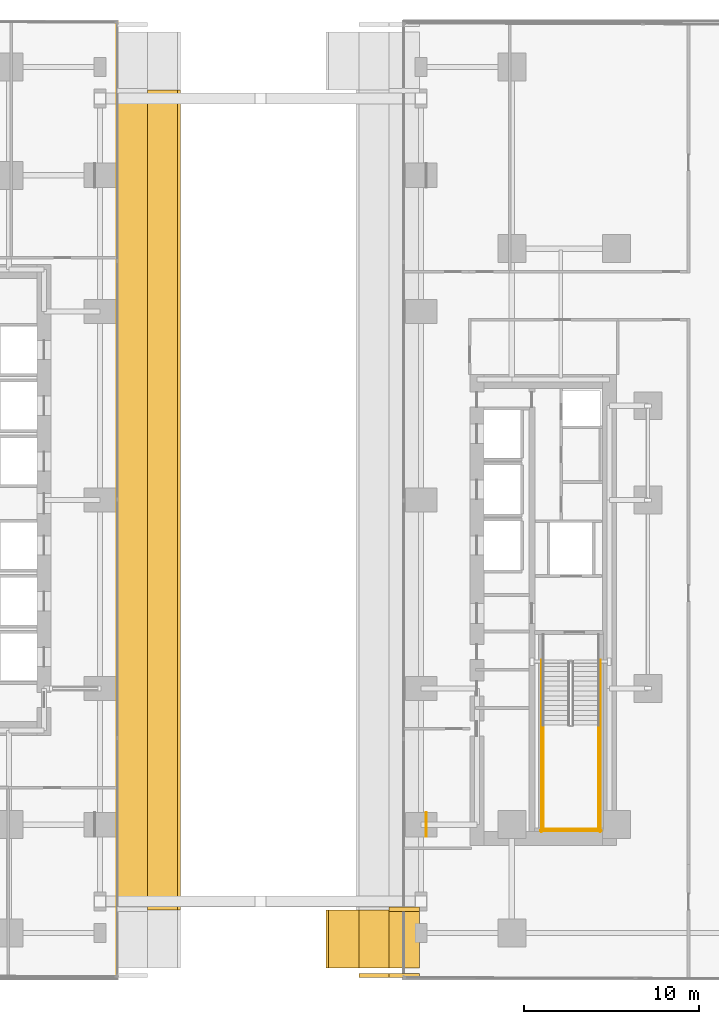
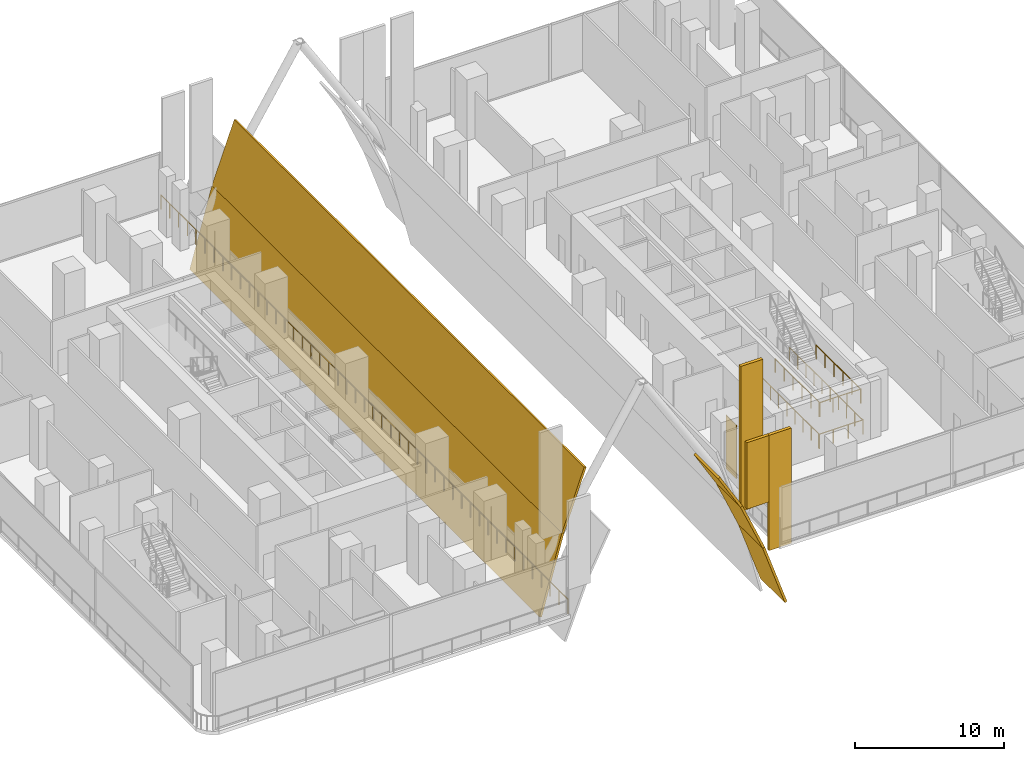
# One storey, part 24 of 31: 9 coverings, 7 railings.
"""IFC4 building model written with IfcOpenShell, lengths in metres."""

from ifc_helpers import new_model, si_unit, direction, frame, origin, origin_2d, place, context, subcontext, project, spatial, polyline, rectangle, circle, outline, extrude, material, layer, layer_set, type_object, element, save


model = new_model("IFC4")

# Units and contexts
model_context = context("Model", 3, precision=1e-05, world=origin(), true_north=direction((0.0, 1.0)))
body_context = subcontext(model_context, "Body", "Model", "MODEL_VIEW")
ifc_project = project(units=[si_unit("LENGTHUNIT", "METRE"), si_unit("AREAUNIT", "SQUARE_METRE"), si_unit("VOLUMEUNIT", "CUBIC_METRE"), si_unit("PLANEANGLEUNIT", "RADIAN"), si_unit("MASSUNIT", "GRAM", prefix="KILO")], contexts=[model_context])

# Site, building, storey
site_placement = place(None, origin())
site = spatial("IfcSite", under=ifc_project, at=site_placement, CompositionType="ELEMENT")
building_placement = place(site_placement, origin())
building = spatial("IfcBuilding", under=site, at=building_placement, Name="Khairoan Windgate Tower", CompositionType="ELEMENT")
storey_placement = place(building_placement, frame((0.0, 0.0, 6.0)))
storey = spatial("IfcBuildingStorey", under=building, at=storey_placement, Name="L02", CompositionType="ELEMENT", Elevation=6.0)

# Railing
ifc_material_1 = material(Name="Anodised Bronze Aluminium 6063-T6", Category="aluminium")
railing_type_1 = type_object("IfcRailingType", Name="Aerodynamic Bronze-and-Glass Balustrade BAL-1200", PredefinedType="BALUSTRADE", material=ifc_material_1)
railing_1_placement = place(storey_placement, frame((-8.199951171875, 27.356689453125, 0.0)))
element("IfcRailing", 1, at=railing_1_placement, inside=storey, type_object=railing_type_1, Name="L02 Arch Void Edge Guardrail 1", PredefinedType="BALUSTRADE", context=body_context, shape_type="SweptSolid", body=[
    extrude(circle(Radius=0.02392578125, at=origin_2d()), frame((0.0, 0.0, 1.17578125), z_axis=(0.0, -1.0, 0.0), x_axis=(1.0, 0.0, 0.0)), (0.0, 0.0, 1.0), 54.661865234375),
    extrude(circle(Radius=0.02099609375, at=origin_2d()), origin(), (0.0, 0.0, 1.0), 1.15185546875),
    extrude(circle(Radius=0.02099609375, at=origin_2d()), frame((0.0, -1.188232421875, 0.0)), (0.0, 0.0, 1.0), 1.15185546875),
    extrude(circle(Radius=0.02099609375, at=origin_2d()), frame((0.0, -2.376708984375, 0.0)), (0.0, 0.0, 1.0), 1.15185546875),
    extrude(circle(Radius=0.02099609375, at=origin_2d()), frame((0.0, -3.56494140625, 0.0)), (0.0, 0.0, 1.0), 1.15185546875),
    extrude(circle(Radius=0.02099609375, at=origin_2d()), frame((0.0, -4.753173828125, 0.0)), (0.0, 0.0, 1.0), 1.15185546875),
    extrude(circle(Radius=0.02099609375, at=origin_2d()), frame((0.0, -5.94140625, 0.0)), (0.0, 0.0, 1.0), 1.15185546875),
    extrude(circle(Radius=0.02099609375, at=origin_2d()), frame((0.0, -7.1298828125, 0.0)), (0.0, 0.0, 1.0), 1.15185546875),
    extrude(circle(Radius=0.02099609375, at=origin_2d()), frame((0.0, -8.318115234375, 0.0)), (0.0, 0.0, 1.0), 1.15185546875),
    extrude(circle(Radius=0.02099609375, at=origin_2d()), frame((0.0, -9.50634765625, 0.0)), (0.0, 0.0, 1.0), 1.15185546875),
    extrude(circle(Radius=0.02099609375, at=origin_2d()), frame((0.0, -10.69482421875, 0.0)), (0.0, 0.0, 1.0), 1.15185546875),
    extrude(circle(Radius=0.02099609375, at=origin_2d()), frame((0.0, -11.883056640625, 0.0)), (0.0, 0.0, 1.0), 1.15185546875),
    extrude(circle(Radius=0.02099609375, at=origin_2d()), frame((0.0, -13.0712890625, 0.0)), (0.0, 0.0, 1.0), 1.15185546875),
    extrude(circle(Radius=0.02099609375, at=origin_2d()), frame((0.0, -14.259521484375, 0.0)), (0.0, 0.0, 1.0), 1.15185546875),
    extrude(circle(Radius=0.02099609375, at=origin_2d()), frame((0.0, -15.447998046875, 0.0)), (0.0, 0.0, 1.0), 1.15185546875),
    extrude(circle(Radius=0.02099609375, at=origin_2d()), frame((0.0, -16.63623046875, 0.0)), (0.0, 0.0, 1.0), 1.15185546875),
    extrude(circle(Radius=0.02099609375, at=origin_2d()), frame((0.0, -17.824462890625, 0.0)), (0.0, 0.0, 1.0), 1.15185546875),
    extrude(circle(Radius=0.02099609375, at=origin_2d()), frame((0.0, -19.012939453125, 0.0)), (0.0, 0.0, 1.0), 1.15185546875),
    extrude(circle(Radius=0.02099609375, at=origin_2d()), frame((0.0, -20.201171875, 0.0)), (0.0, 0.0, 1.0), 1.15185546875),
    extrude(circle(Radius=0.02099609375, at=origin_2d()), frame((0.0, -21.389404296875, 0.0)), (0.0, 0.0, 1.0), 1.15185546875),
    extrude(circle(Radius=0.02099609375, at=origin_2d()), frame((0.0, -22.57763671875, 0.0)), (0.0, 0.0, 1.0), 1.15185546875),
    extrude(circle(Radius=0.02099609375, at=origin_2d()), frame((0.0, -23.76611328125, 0.0)), (0.0, 0.0, 1.0), 1.15185546875),
    extrude(circle(Radius=0.02099609375, at=origin_2d()), frame((0.0, -24.954345703125, 0.0)), (0.0, 0.0, 1.0), 1.15185546875),
    extrude(circle(Radius=0.02099609375, at=origin_2d()), frame((0.0, -26.142578125, 0.0)), (0.0, 0.0, 1.0), 1.15185546875),
    extrude(circle(Radius=0.02099609375, at=origin_2d()), frame((0.0, -27.3310546875, 0.0)), (0.0, 0.0, 1.0), 1.15185546875),
    extrude(circle(Radius=0.02099609375, at=origin_2d()), frame((0.0, -28.519287109375, 0.0)), (0.0, 0.0, 1.0), 1.15185546875),
    extrude(circle(Radius=0.02099609375, at=origin_2d()), frame((0.0, -29.70751953125, 0.0)), (0.0, 0.0, 1.0), 1.15185546875),
    extrude(circle(Radius=0.02099609375, at=origin_2d()), frame((0.0, -30.895751953125, 0.0)), (0.0, 0.0, 1.0), 1.15185546875),
    extrude(circle(Radius=0.02099609375, at=origin_2d()), frame((0.0, -32.084228515625, 0.0)), (0.0, 0.0, 1.0), 1.15185546875),
    extrude(circle(Radius=0.02099609375, at=origin_2d()), frame((0.0, -33.2724609375, 0.0)), (0.0, 0.0, 1.0), 1.15185546875),
    extrude(circle(Radius=0.02099609375, at=origin_2d()), frame((0.0, -34.460693359375, 0.0)), (0.0, 0.0, 1.0), 1.15185546875),
    extrude(circle(Radius=0.02099609375, at=origin_2d()), frame((0.0, -35.64892578125, 0.0)), (0.0, 0.0, 1.0), 1.15185546875),
    extrude(circle(Radius=0.02099609375, at=origin_2d()), frame((0.0, -36.83740234375, 0.0)), (0.0, 0.0, 1.0), 1.15185546875),
    extrude(circle(Radius=0.02099609375, at=origin_2d()), frame((0.0, -38.025634765625, 0.0)), (0.0, 0.0, 1.0), 1.15185546875),
    extrude(circle(Radius=0.02099609375, at=origin_2d()), frame((0.0, -39.2138671875, 0.0)), (0.0, 0.0, 1.0), 1.15185546875),
    extrude(circle(Radius=0.02099609375, at=origin_2d()), frame((0.0, -40.40234375, 0.0)), (0.0, 0.0, 1.0), 1.15185546875),
    extrude(circle(Radius=0.02099609375, at=origin_2d()), frame((0.0, -41.590576171875, 0.0)), (0.0, 0.0, 1.0), 1.15185546875),
    extrude(circle(Radius=0.02099609375, at=origin_2d()), frame((0.0, -42.77880859375, 0.0)), (0.0, 0.0, 1.0), 1.15185546875),
    extrude(circle(Radius=0.02099609375, at=origin_2d()), frame((0.0, -43.967041015625, 0.0)), (0.0, 0.0, 1.0), 1.15185546875),
    extrude(circle(Radius=0.02099609375, at=origin_2d()), frame((0.0, -45.155517578125, 0.0)), (0.0, 0.0, 1.0), 1.15185546875),
    extrude(circle(Radius=0.02099609375, at=origin_2d()), frame((0.0, -46.34375, 0.0)), (0.0, 0.0, 1.0), 1.15185546875),
    extrude(circle(Radius=0.02099609375, at=origin_2d()), frame((0.0, -47.531982421875, 0.0)), (0.0, 0.0, 1.0), 1.15185546875),
    extrude(circle(Radius=0.02099609375, at=origin_2d()), frame((0.0, -48.720458984375, 0.0)), (0.0, 0.0, 1.0), 1.15185546875),
    extrude(circle(Radius=0.02099609375, at=origin_2d()), frame((0.0, -49.90869140625, 0.0)), (0.0, 0.0, 1.0), 1.15185546875),
    extrude(circle(Radius=0.02099609375, at=origin_2d()), frame((0.0, -51.096923828125, 0.0)), (0.0, 0.0, 1.0), 1.15185546875),
    extrude(circle(Radius=0.02099609375, at=origin_2d()), frame((0.0, -52.28515625, 0.0)), (0.0, 0.0, 1.0), 1.15185546875),
    extrude(circle(Radius=0.02099609375, at=origin_2d()), frame((0.0, -53.4736328125, 0.0)), (0.0, 0.0, 1.0), 1.15185546875),
    extrude(circle(Radius=0.02099609375, at=origin_2d()), frame((0.0, -54.661865234375, 0.0)), (0.0, 0.0, 1.0), 1.15185546875),
])

# Coverings
ifc_material_2 = material(Name="Anodised Bronze Aluminium 6063-T6", Category="aluminium")
ifc_layer_1 = layer(ifc_material_2, 0.0400390625, Name="Anodised Bronze Aluminium 6063-T6")
ifc_layer_set_1 = layer_set([ifc_layer_1], Name="Anodised Bronze Aluminium 6063-T6")
covering_type_1 = type_object("IfcCoveringType", Name="Anodised Bronze Arch Pier Cladding", PredefinedType="CLADDING", material=ifc_layer_set_1)
covering_1_placement = place(storey_placement, frame((9.5, -18.60009765625, 0.0), z_axis=(0.0, 0.0, 1.0), x_axis=(1.0, 0.0, 0.0)))
element("IfcCovering", 2, at=covering_1_placement, inside=storey, type_object=covering_type_1, Name="L02 Arch Pier Bronze Cladding 02", PredefinedType="CLADDING", context=body_context, shape_type="SweptSolid", body=[
    extrude(rectangle(XDim=0.0400390625, YDim=1.39990234375, at=origin_2d()), origin(), (0.0, 0.0, 1.0), 4.39990234375),
])
ifc_material_3 = material(Name="Anodised Bronze Aluminium 6063-T6", Category="aluminium")
ifc_layer_2 = layer(ifc_material_3, 0.179931640625, Name="Anodised Bronze Aluminium 6063-T6")
ifc_layer_set_2 = layer_set([ifc_layer_2], Name="Anodised Bronze Aluminium 6063-T6")
covering_type_2 = type_object("IfcCoveringType", Name="Sculpted Parabolic Arch and Crown Cladding", PredefinedType="CLADDING", material=ifc_layer_set_2)
covering_2_placement = place(storey_placement, frame((-8.199951171875, -23.5, -2.60009765625), z_axis=(-0.96413617328, 0.0, 0.265408061997), x_axis=(0.265408061997, 0.0, 0.96413617328)))
element("IfcCovering", 3, at=covering_2_placement, inside=storey, type_object=covering_type_2, Name="Monumental Podium Parabolic Arch Barrel-Vault Cladding 01", PredefinedType="CLADDING", context=body_context, shape_type="SweptSolid", body=[
    extrude(outline(polyline([(0.0, 0.0), (6.518191104421667, 0.0), (6.518191104421667, 47.0), (0.0, 47.0), (0.0, 0.0)])), origin(), (0.0, 0.0, -1.0), 0.179931640625),
])
covering_3_placement = place(storey_placement, frame((-6.469970703125, -23.5, 3.684326171875), z_axis=(-0.940814222358, 0.0, 0.338922703591), x_axis=(0.338922703591, 0.0, 0.940814222358)))
element("IfcCovering", 4, at=covering_3_placement, inside=storey, type_object=covering_type_2, Name="Monumental Podium Parabolic Arch Barrel-Vault Cladding 02", PredefinedType="CLADDING", context=body_context, shape_type="SweptSolid", body=[
    extrude(outline(polyline([(0.0, 0.0), (5.104351081890195, 0.0), (5.104351081890195, 47.0), (0.0, 47.0), (0.0, 0.0)])), origin(), (0.0, 0.0, -1.0), 0.179931640625),
])
covering_4_placement = place(storey_placement, frame((3.909912109375, -26.800048828125, 6.633056640625), z_axis=(0.861580423573, 0.0, 0.507621092662), x_axis=(0.507621092662, 0.0, -0.861580423573)))
element("IfcCovering", 5, at=covering_4_placement, inside=storey, type_object=covering_type_2, Name="Podium Parabolic Arch Mouth Vault S-08", PredefinedType="CLADDING", context=body_context, shape_type="SweptSolid", body=[
    extrude(outline(polyline([(0.0, 0.0), (3.408015336161681, 0.0), (3.408015336161681, 3.300048828125), (0.0, 3.300048828125), (0.0, 0.0)])), origin(), (0.0, 0.0, -1.0), 0.179931640625),
])
covering_5_placement = place(storey_placement, frame((5.639892578125, -26.800048828125, 3.69677734375), z_axis=(0.917815663081, 0.0, 0.397006811783), x_axis=(0.397006811783, 0.0, -0.917815663081)))
element("IfcCovering", 6, at=covering_5_placement, inside=storey, type_object=covering_type_2, Name="Podium Parabolic Arch Mouth Vault S-09", PredefinedType="CLADDING", context=body_context, shape_type="SweptSolid", body=[
    extrude(outline(polyline([(0.0, 0.0), (4.358173608162813, 0.0), (4.358173608162813, 3.300048828125), (0.0, 3.300048828125), (0.0, 0.0)])), origin(), (0.0, 0.0, -1.0), 0.179931640625),
])
covering_6_placement = place(storey_placement, frame((6.5048828125, -27.25, 3.74658203125), z_axis=(0.0, 0.0, 1.0), x_axis=(1.0, 0.0, 0.0)))
element("IfcCovering", 7, at=covering_6_placement, inside=storey, type_object=covering_type_2, Name="Podium Parabolic Arch Tympanum Cladding S-09", PredefinedType="CLADDING", context=body_context, shape_type="SweptSolid", body=[
    extrude(rectangle(XDim=1.72998046875, YDim=0.239990234375, at=origin_2d()), origin(), (0.0, 0.0, 1.0), 5.452880859375),
])
covering_7_placement = place(storey_placement, frame((7.3701171875, -26.800048828125, -0.30322265625), z_axis=(0.946302886692, 0.0, 0.323281373788), x_axis=(0.323281373788, 0.0, -0.946302886692)))
element("IfcCovering", 8, at=covering_7_placement, inside=storey, type_object=covering_type_2, Name="Podium Parabolic Arch Mouth Vault S-10", PredefinedType="CLADDING", context=body_context, shape_type="SweptSolid", body=[
    extrude(outline(polyline([(0.0, 0.0), (5.351315012311687, 0.0), (5.351315012311687, 3.3000488281249996), (0.0, 3.3000488281249996), (0.0, 0.0)])), origin(), (0.0, 0.0, -1.0), 0.179931640625),
])
covering_8_placement = place(storey_placement, frame((8.235107421875, -23.449951171875, 0.64990234375), z_axis=(0.0, 0.0, 1.0), x_axis=(1.0, 0.0, 0.0)))
element("IfcCovering", 9, at=covering_8_placement, inside=storey, type_object=covering_type_2, Name="Upper Parabolic Arch Tympanum Cladding S-10", PredefinedType="CLADDING", context=body_context, shape_type="SweptSolid", body=[
    extrude(rectangle(XDim=1.72998046875, YDim=0.239990234375, at=origin_2d()), origin(), (0.0, 0.0, 1.0), 11.889892578125),
])
covering_9_placement = place(storey_placement, frame((8.235107421875, -27.25, -0.25341796875), z_axis=(0.0, 0.0, 1.0), x_axis=(1.0, 0.0, 0.0)))
element("IfcCovering", 10, at=covering_9_placement, inside=storey, type_object=covering_type_2, Name="Podium Parabolic Arch Tympanum Cladding S-10", PredefinedType="CLADDING", context=body_context, shape_type="SweptSolid", body=[
    extrude(rectangle(XDim=1.72998046875, YDim=0.239990234375, at=origin_2d()), origin(), (0.0, 0.0, 1.0), 9.452880859375),
])

# Railings
ifc_material_4 = material(Name="Steel S355", Category="steel")
railing_type_2 = type_object("IfcRailingType", Name="Stairwell Safety Guardrail SGR-1150", PredefinedType="GUARDRAIL", material=ifc_material_4)
for number, where, name in (
    (11, (16.199951171875, -12.89990234375, 2.5), "L02 ST1 stair guard 3"),
    (12, (19.3701171875, -12.89990234375, 2.5), "L02 ST1 stair guard 4"),
):
    element("IfcRailing", number, at=place(storey_placement, frame(where)), inside=storey, type_object=railing_type_2, Name=name, PredefinedType="GUARDRAIL", context=body_context, shape_type="SweptSolid", body=[
        extrude(circle(Radius=0.02392578125, at=origin_2d()), frame((0.0, 0.0, 1.1259765625), z_axis=(0.0, -1.0, 0.0), x_axis=(1.0, 0.0, 0.0)), (0.0, 0.0, 1.0), 6.0),
        extrude(circle(Radius=0.02099609375, at=origin_2d()), origin(), (0.0, 0.0, 1.0), 1.101806640625),
        extrude(circle(Radius=0.02099609375, at=origin_2d()), frame((0.0, -1.199951171875, 0.0)), (0.0, 0.0, 1.0), 1.101806640625),
        extrude(circle(Radius=0.02099609375, at=origin_2d()), frame((0.0, -2.39990234375, 0.0)), (0.0, 0.0, 1.0), 1.101806640625),
        extrude(circle(Radius=0.02099609375, at=origin_2d()), frame((0.0, -3.60009765625, 0.0)), (0.0, 0.0, 1.0), 1.101806640625),
        extrude(circle(Radius=0.02099609375, at=origin_2d()), frame((0.0, -4.800048828125, 0.0)), (0.0, 0.0, 1.0), 1.101806640625),
        extrude(circle(Radius=0.02099609375, at=origin_2d()), frame((0.0, -6.0, 0.0)), (0.0, 0.0, 1.0), 1.101806640625),
    ])
railing_2_placement = place(storey_placement, frame((16.14990234375, -18.85009765625, 2.5)))
element("IfcRailing", 13, at=railing_2_placement, inside=storey, type_object=railing_type_2, Name="L02 ST1 stair guard 5", PredefinedType="GUARDRAIL", context=body_context, shape_type="SweptSolid", body=[
    extrude(circle(Radius=0.02392578125, at=origin_2d()), frame((0.0, 0.0, 1.1259765625), z_axis=(1.0, 0.0, 0.0), x_axis=(0.0, 1.0, 0.0)), (0.0, 0.0, 1.0), 3.27001953125),
    extrude(circle(Radius=0.02099609375, at=origin_2d()), origin(), (0.0, 0.0, 1.0), 1.101806640625),
    extrude(circle(Radius=0.02099609375, at=origin_2d()), frame((1.090087890625, 0.0, 0.0)), (0.0, 0.0, 1.0), 1.101806640625),
    extrude(circle(Radius=0.02099609375, at=origin_2d()), frame((2.179931640625, 0.0, 0.0)), (0.0, 0.0, 1.0), 1.101806640625),
    extrude(circle(Radius=0.02099609375, at=origin_2d()), frame((3.27001953125, 0.0, 0.0)), (0.0, 0.0, 1.0), 1.101806640625),
])
for number, where, name in (
    (14, (16.10009765625, -9.159912109375, 0.0), "L02 ST1 stair guard 10"),
    (15, (19.469970703125, -9.159912109375, 0.0), "L02 ST1 stair guard 11"),
):
    element("IfcRailing", number, at=place(storey_placement, frame(where)), inside=storey, type_object=railing_type_2, Name=name, PredefinedType="GUARDRAIL", context=body_context, shape_type="SweptSolid", body=[
        extrude(circle(Radius=0.02392578125, at=origin_2d()), frame((0.0, 0.0, 1.1259765625), z_axis=(0.0, -1.0, 0.0), x_axis=(1.0, 0.0, 0.0)), (0.0, 0.0, 1.0), 9.840087890625),
        extrude(circle(Radius=0.02099609375, at=origin_2d()), origin(), (0.0, 0.0, 1.0), 1.101806640625),
        extrude(circle(Radius=0.02099609375, at=origin_2d()), frame((0.0, -1.09326171875, 0.0)), (0.0, 0.0, 1.0), 1.101806640625),
        extrude(circle(Radius=0.02099609375, at=origin_2d()), frame((0.0, -2.186767578125, 0.0)), (0.0, 0.0, 1.0), 1.101806640625),
        extrude(circle(Radius=0.02099609375, at=origin_2d()), frame((0.0, -3.280029296875, 0.0)), (0.0, 0.0, 1.0), 1.101806640625),
        extrude(circle(Radius=0.02099609375, at=origin_2d()), frame((0.0, -4.373291015625, 0.0)), (0.0, 0.0, 1.0), 1.101806640625),
        extrude(circle(Radius=0.02099609375, at=origin_2d()), frame((0.0, -5.466796875, 0.0)), (0.0, 0.0, 1.0), 1.101806640625),
        extrude(circle(Radius=0.02099609375, at=origin_2d()), frame((0.0, -6.56005859375, 0.0)), (0.0, 0.0, 1.0), 1.101806640625),
        extrude(circle(Radius=0.02099609375, at=origin_2d()), frame((0.0, -7.6533203125, 0.0)), (0.0, 0.0, 1.0), 1.101806640625),
        extrude(circle(Radius=0.02099609375, at=origin_2d()), frame((0.0, -8.746826171875, 0.0)), (0.0, 0.0, 1.0), 1.101806640625),
        extrude(circle(Radius=0.02099609375, at=origin_2d()), frame((0.0, -9.840087890625, 0.0)), (0.0, 0.0, 1.0), 1.101806640625),
    ])
railing_3_placement = place(storey_placement, frame((16.050048828125, -18.949951171875, 0.0)))
element("IfcRailing", 16, at=railing_3_placement, inside=storey, type_object=railing_type_2, Name="L02 ST1 stair guard 12", PredefinedType="GUARDRAIL", context=body_context, shape_type="SweptSolid", body=[
    extrude(circle(Radius=0.02392578125, at=origin_2d()), frame((0.0, 0.0, 1.1259765625), z_axis=(1.0, 0.0, 0.0), x_axis=(0.0, 1.0, 0.0)), (0.0, 0.0, 1.0), 3.469970703125),
    extrude(circle(Radius=0.02099609375, at=origin_2d()), origin(), (0.0, 0.0, 1.0), 1.101806640625),
    extrude(circle(Radius=0.02099609375, at=origin_2d()), frame((1.15673828125, 0.0, 0.0)), (0.0, 0.0, 1.0), 1.101806640625),
    extrude(circle(Radius=0.02099609375, at=origin_2d()), frame((2.313232421875, 0.0, 0.0)), (0.0, 0.0, 1.0), 1.101806640625),
    extrude(circle(Radius=0.02099609375, at=origin_2d()), frame((3.469970703125, 0.0, 0.0)), (0.0, 0.0, 1.0), 1.101806640625),
])

save(model, "model.ifc")
